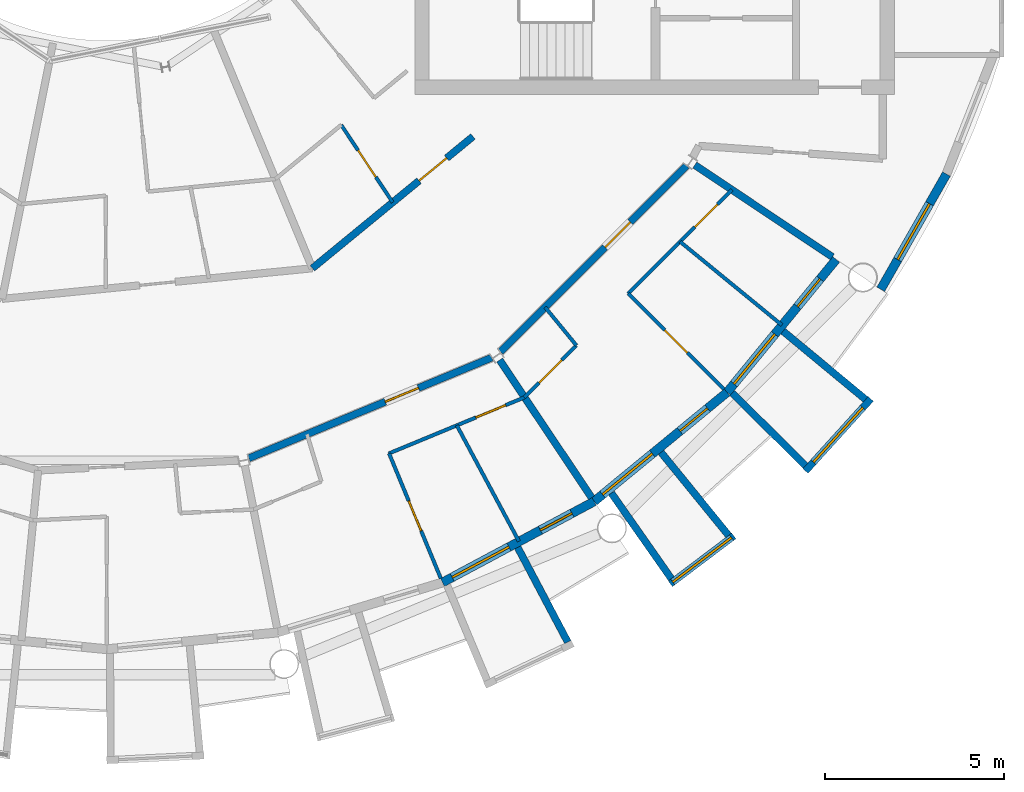
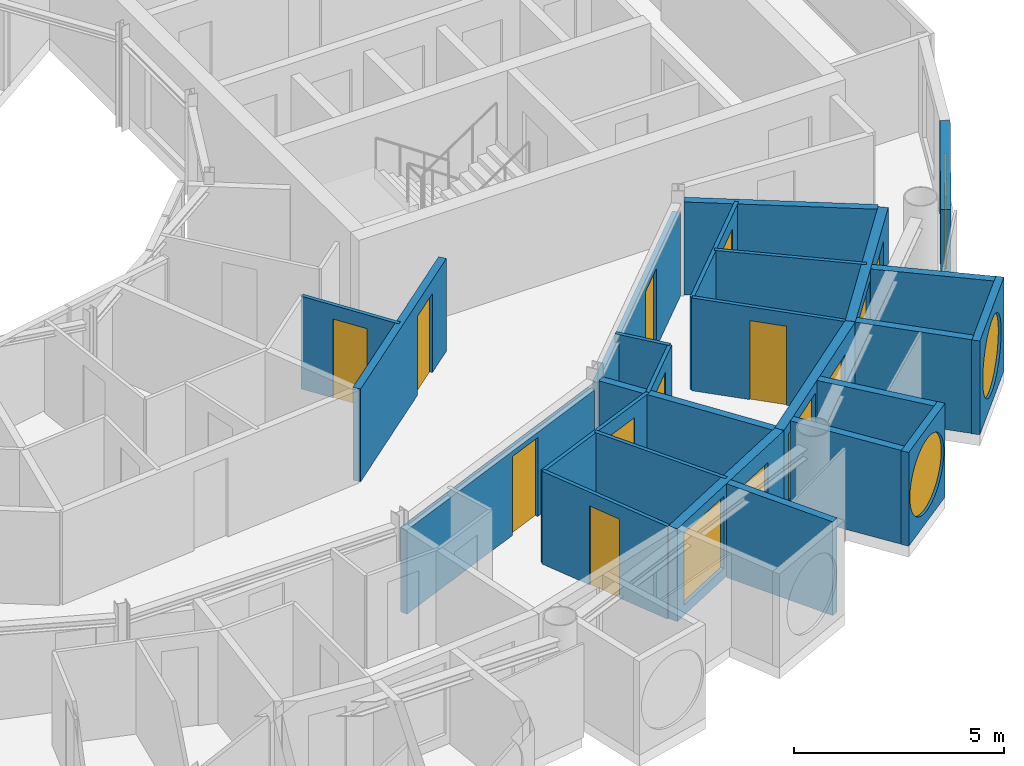
# One storey, part 17 of 27: 25 walls, 12 doors, 6 windows, 18 openings.
"""IFC4 building model written with IfcOpenShell, lengths in metres."""

from ifc_helpers import new_model, si_unit, direction, frame, frame_2d, origin, place, context, subcontext, project, spatial, rectangle, circle, extrude, material, layer, layer_set, type_object, element, fill, save


model = new_model("IFC4")

# Units and contexts
model_context = context("Model", 3, precision=1e-05, world=origin(), true_north=direction((0.0, 1.0)))
body_context = subcontext(model_context, "Body", "Model", "MODEL_VIEW")
ifc_project = project(units=[si_unit("LENGTHUNIT", "METRE"), si_unit("AREAUNIT", "SQUARE_METRE"), si_unit("VOLUMEUNIT", "CUBIC_METRE"), si_unit("PLANEANGLEUNIT", "RADIAN"), si_unit("MASSUNIT", "GRAM", prefix="KILO")], contexts=[model_context])

# Site, building, storey
site_placement = place(None, origin())
site = spatial("IfcSite", under=ifc_project, at=site_placement, CompositionType="ELEMENT")
building_placement = place(site_placement, origin())
building = spatial("IfcBuilding", under=site, at=building_placement, Name="Maasbend Ring Residences", CompositionType="ELEMENT")
storey_placement = place(building_placement, frame((0.0, 0.0, 240.14990234375)))
storey = spatial("IfcBuildingStorey", under=building, at=storey_placement, Name="L69", CompositionType="ELEMENT", Elevation=240.14990234375)

# Wall, opening, door
ifc_material_1 = material(Name="Concrete C30/37", Category="concrete")
ifc_layer_1 = layer(ifc_material_1, 0.199951171875)
ifc_layer_set_1 = layer_set([ifc_layer_1], Name="Concrete C30/37")
wall_type_1 = type_object("IfcWallType", Name="CORRIDOR WALL 200 CONCRETE", PredefinedType="PARTITIONING", material=ifc_layer_set_1)
wall_1_placement = place(storey_placement, frame((3.965087890625, -19.1650390625, 0.0), z_axis=(0.0, 0.0, 1.0), x_axis=(0.923857139404, 0.382737489635, 0.0)))
wall_1 = element("IfcWall", 1, at=wall_1_placement, inside=storey, type_object=wall_type_1, Name="U-L69-w017", PredefinedType="PARTITIONING", context=body_context, shape_type="SweptSolid", body=[
    extrude(rectangle(XDim=7.342041015625, YDim=0.199951171875, at=frame_2d((3.6708984375, 0.0))), origin(), (0.0, 0.0, 1.0), 2.4501953125),
])
opening_1_placement = place(wall_1_placement, frame((4.1259765625, 0.0, 0.0)))
opening_1 = element("IfcOpeningElement", 2, at=opening_1_placement, cuts=wall_1, Name="Opening D-6944", PredefinedType="OPENING", context=body_context, shape_type="SweptSolid", body=[
    extrude(rectangle(XDim=1.0, YDim=2.300048828125, at=frame_2d((0.5, 1.14990234375))), frame((0.0, 0.10986328125, 0.0), z_axis=(0.0, -1.0, 0.0), x_axis=(1.0, 0.0, 0.0)), (0.0, 0.0, 1.0), 0.219970703125),
])
ifc_material_2 = material(Name="Timber, fire-rated, painted", Category="wood")
door_type_1 = type_object("IfcDoorType", Name="FLAT ENTRANCE DOOR 1000 X 2300 FIRE-RATED", OperationType="NOTDEFINED", PredefinedType="DOOR", material=ifc_material_2)
door_1_placement = place(opening_1_placement, origin())
door_1 = element("IfcDoor", 3, at=door_1_placement, inside=storey, type_object=door_type_1, Name="D-6944", OperationType="SINGLE_SWING_RIGHT", OverallHeight=2.300048828125, OverallWidth=1.0, PredefinedType="DOOR", context=body_context, shape_type="SweptSolid", body=[
    extrude(rectangle(XDim=1.0, YDim=2.300048828125, at=frame_2d((0.5, 1.14990234375))), frame((0.0, 0.02490234375, 0.0), z_axis=(0.0, -1.0, 0.0), x_axis=(1.0, 0.0, 0.0)), (0.0, 0.0, 1.0), 0.050048828125),
])
fill(opening_1, door_1)

wall_2_placement = place(storey_placement, frame((10.9970703125, -16.18896484375, 0.0), z_axis=(0.0, 0.0, 1.0), x_axis=(0.707106781187, 0.707106781187, 0.0)))
wall_2 = element("IfcWall", 4, at=wall_2_placement, inside=storey, type_object=wall_type_1, Name="U-L69-w018", PredefinedType="PARTITIONING", context=body_context, shape_type="SweptSolid", body=[
    extrude(rectangle(XDim=7.342529296875, YDim=0.199951171875, at=frame_2d((3.67138671875, 0.0))), origin(), (0.0, 0.0, 1.0), 2.4501953125),
])
opening_2_placement = place(wall_2_placement, frame((4.126953125, 0.0, 0.0)))
opening_2 = element("IfcOpeningElement", 5, at=opening_2_placement, cuts=wall_2, Name="Opening D-6948", PredefinedType="OPENING", context=body_context, shape_type="SweptSolid", body=[
    extrude(rectangle(XDim=1.0, YDim=2.300048828125, at=frame_2d((0.5, 1.14990234375))), frame((0.0, 0.10986328125, 0.0), z_axis=(0.0, -1.0, 0.0), x_axis=(1.0, 0.0, 0.0)), (0.0, 0.0, 1.0), 0.219970703125),
])
door_2_placement = place(opening_2_placement, origin())
door_2 = element("IfcDoor", 6, at=door_2_placement, inside=storey, type_object=door_type_1, Name="D-6948", OperationType="SINGLE_SWING_RIGHT", OverallHeight=2.300048828125, OverallWidth=1.0, PredefinedType="DOOR", context=body_context, shape_type="SweptSolid", body=[
    extrude(rectangle(XDim=1.0, YDim=2.300048828125, at=frame_2d((0.5, 1.14990234375))), frame((0.0, 0.02490234375, 0.0), z_axis=(0.0, -1.0, 0.0), x_axis=(1.0, 0.0, 0.0)), (0.0, 0.0, 1.0), 0.050048828125),
])
fill(opening_2, door_2)

wall_3_placement = place(storey_placement, frame((5.739990234375, -13.85791015625, 0.0), z_axis=(0.0, 0.0, 1.0), x_axis=(0.773071783484, 0.634318545828, 0.0)))
wall_3 = element("IfcWall", 7, at=wall_3_placement, inside=storey, type_object=wall_type_1, Name="U-L69-w021", PredefinedType="PARTITIONING", context=body_context, shape_type="SweptSolid", body=[
    extrude(rectangle(XDim=5.802978515625, YDim=0.199951171875, at=frame_2d((2.9013671875, 0.0))), origin(), (0.0, 0.0, 1.0), 2.7001953125),
])
opening_3_placement = place(wall_3_placement, frame((3.85400390625, 0.0, 0.0)))
opening_3 = element("IfcOpeningElement", 8, at=opening_3_placement, cuts=wall_3, Name="Opening D-6960", PredefinedType="OPENING", context=body_context, shape_type="SweptSolid", body=[
    extrude(rectangle(XDim=1.0, YDim=2.300048828125, at=frame_2d((0.5, 1.14990234375))), frame((0.0, 0.10986328125, 0.0), z_axis=(0.0, -1.0, 0.0), x_axis=(1.0, 0.0, 0.0)), (0.0, 0.0, 1.0), 0.219970703125),
])
door_3_placement = place(opening_3_placement, origin())
door_3 = element("IfcDoor", 9, at=door_3_placement, inside=storey, type_object=door_type_1, Name="D-6960", OperationType="SINGLE_SWING_RIGHT", OverallHeight=2.300048828125, OverallWidth=1.0, PredefinedType="DOOR", context=body_context, shape_type="SweptSolid", body=[
    extrude(rectangle(XDim=1.0, YDim=2.300048828125, at=frame_2d((0.5, 1.14990234375))), frame((0.0, 0.02490234375, 0.0), z_axis=(0.0, -1.0, 0.0), x_axis=(1.0, 0.0, 0.0)), (0.0, 0.0, 1.0), 0.050048828125),
])
fill(opening_3, door_3)

# Wall
ifc_material_3 = material(Name="Pale anodised aluminium panel", Category="aluminium")
ifc_layer_2 = layer(ifc_material_3, 0.199951171875)
ifc_layer_set_2 = layer_set([ifc_layer_2], Name="EW-BOX")
wall_type_2 = type_object("IfcWallType", Name="EW-BOX", PredefinedType="SOLIDWALL", material=ifc_layer_set_2)
wall_4_placement = place(storey_placement, frame((11.47509765625, -21.655029296875, -0.02978515625), z_axis=(0.0, 0.0, 1.0), x_axis=(0.467917715158, -0.883772036128, 0.0)))
element("IfcWall", 10, at=wall_4_placement, inside=storey, type_object=wall_type_2, Name="Box side wall S15 right", PredefinedType="SOLIDWALL", context=body_context, shape_type="SweptSolid", body=[
    extrude(rectangle(XDim=2.99169921875, YDim=0.199951171875, at=frame_2d((1.495849609375, 0.0))), origin(), (0.0, 0.0, 1.0), 2.72998046875),
])

# Wall, opening, window
wall_5_placement = place(storey_placement, frame((15.739990234375, -22.672119140625, -0.02978515625), z_axis=(0.0, 0.0, 1.0), x_axis=(0.797805050803, 0.602915500641, 0.0)))
wall_5 = element("IfcWall", 11, at=wall_5_placement, inside=storey, type_object=wall_type_2, Name="Box front S17", PredefinedType="SOLIDWALL", context=body_context, shape_type="SweptSolid", body=[
    extrude(rectangle(XDim=2.220947265625, YDim=0.199951171875, at=frame_2d((1.1103515625, 0.0))), origin(), (0.0, 0.0, 1.0), 2.72998046875),
])
opening_4_placement = place(wall_5_placement, frame((0.070556640625, 0.0, 0.330078125)))
opening_4 = element("IfcOpeningElement", 12, at=opening_4_placement, cuts=wall_5, Name="Opening W-RD", PredefinedType="OPENING", context=body_context, shape_type="SweptSolid", body=[
    extrude(circle(Radius=1.0400390625, at=frame_2d((1.0400390625, 1.0400390625))), frame((0.0, 0.10986328125, 0.0), z_axis=(0.0, -1.0, 0.0), x_axis=(1.0, 0.0, 0.0)), (0.0, 0.0, 1.0), 0.219970703125),
])
ifc_material_4 = material(Name="Aluminium and clear glass", Category="aluminium")
window_type_1 = type_object("IfcWindowType", Name="W-RD", PartitioningType="SINGLE_PANEL", PredefinedType="WINDOW", material=ifc_material_4)
window_1_placement = place(opening_4_placement, origin())
window_1 = element("IfcWindow", 13, at=window_1_placement, inside=storey, type_object=window_type_1, Name="Round window S17", OverallHeight=2.080078125, OverallWidth=2.080078125, PartitioningType="SINGLE_PANEL", PredefinedType="WINDOW", context=body_context, shape_type="SweptSolid", body=[
    extrude(circle(Radius=1.0400390625, at=frame_2d((1.0400390625, 1.0400390625))), frame((0.0, 0.030029296875, 0.0), z_axis=(0.0, -1.0, 0.0), x_axis=(1.0, 0.0, 0.0)), (0.0, 0.0, 1.0), 0.06005859375),
])
fill(opening_4, window_1)

# Walls
wall_6_placement = place(storey_placement, frame((14.093017578125, -20.137939453125, -0.02978515625), z_axis=(0.0, 0.0, 1.0), x_axis=(0.573596998419, -0.81913764619, 0.0)))
element("IfcWall", 14, at=wall_6_placement, inside=storey, type_object=wall_type_2, Name="Box side wall S17 left", PredefinedType="SOLIDWALL", context=body_context, shape_type="SweptSolid", body=[
    extrude(rectangle(XDim=2.920166015625, YDim=0.199951171875, at=frame_2d((1.4599609375, 0.0))), origin(), (0.0, 0.0, 1.0), 2.72998046875),
])
wall_7_placement = place(storey_placement, frame((15.47900390625, -19.0, -0.02978515625), z_axis=(0.0, 0.0, 1.0), x_axis=(0.631209771017, -0.775612161439, 0.0)))
element("IfcWall", 15, at=wall_7_placement, inside=storey, type_object=wall_type_2, Name="Box side wall S17 right", PredefinedType="SOLIDWALL", context=body_context, shape_type="SweptSolid", body=[
    extrude(rectangle(XDim=2.992431640625, YDim=0.199951171875, at=frame_2d((1.49609375, 0.0))), origin(), (0.0, 0.0, 1.0), 2.72998046875),
])

# Wall, opening, window
wall_8_placement = place(storey_placement, frame((19.512939453125, -19.52001953125, -0.02978515625), z_axis=(0.0, 0.0, 1.0), x_axis=(0.671487056022, 0.741016284298, 0.0)))
wall_8 = element("IfcWall", 16, at=wall_8_placement, inside=storey, type_object=wall_type_2, Name="Box front S19", PredefinedType="SOLIDWALL", context=body_context, shape_type="SweptSolid", body=[
    extrude(rectangle(XDim=2.7177734375, YDim=0.199951171875, at=frame_2d((1.35888671875, 0.0))), origin(), (0.0, 0.0, 1.0), 2.72998046875),
])
opening_5_placement = place(wall_8_placement, frame((0.319091796875, 0.0, 0.330078125)))
opening_5 = element("IfcOpeningElement", 17, at=opening_5_placement, cuts=wall_8, Name="Opening W-RD", PredefinedType="OPENING", context=body_context, shape_type="SweptSolid", body=[
    extrude(circle(Radius=1.0400390625, at=frame_2d((1.0400390625, 1.0400390625))), frame((0.0, 0.10986328125, 0.0), z_axis=(0.0, -1.0, 0.0), x_axis=(1.0, 0.0, 0.0)), (0.0, 0.0, 1.0), 0.219970703125),
])
window_2_placement = place(opening_5_placement, origin())
window_2 = element("IfcWindow", 18, at=window_2_placement, inside=storey, type_object=window_type_1, Name="Round window S19", OverallHeight=2.080078125, OverallWidth=2.080078125, PartitioningType="SINGLE_PANEL", PredefinedType="WINDOW", context=body_context, shape_type="SweptSolid", body=[
    extrude(circle(Radius=1.0400390625, at=frame_2d((1.0400390625, 1.0400390625))), frame((0.0, 0.030029296875, 0.0), z_axis=(0.0, -1.0, 0.0), x_axis=(1.0, 0.0, 0.0)), (0.0, 0.0, 1.0), 0.06005859375),
])
fill(opening_5, window_2)

# Walls
wall_9_placement = place(storey_placement, frame((17.469970703125, -17.343994140625, -0.02978515625), z_axis=(0.0, 0.0, 1.0), x_axis=(0.709896457854, -0.704306055012, 0.0)))
element("IfcWall", 19, at=wall_9_placement, inside=storey, type_object=wall_type_2, Name="Box side wall S19 left", PredefinedType="SOLIDWALL", context=body_context, shape_type="SweptSolid", body=[
    extrude(rectangle(XDim=2.88232421875, YDim=0.199951171875, at=frame_2d((1.441162109375, 0.0))), origin(), (0.0, 0.0, 1.0), 2.72998046875),
])
wall_10_placement = place(storey_placement, frame((18.887939453125, -15.614990234375, -0.02978515625), z_axis=(0.0, 0.0, 1.0), x_axis=(0.770489638069, -0.637452521862, 0.0)))
element("IfcWall", 20, at=wall_10_placement, inside=storey, type_object=wall_type_2, Name="Box side wall S19 right", PredefinedType="SOLIDWALL", context=body_context, shape_type="SweptSolid", body=[
    extrude(rectangle(XDim=2.9931640625, YDim=0.199951171875, at=frame_2d((1.49658203125, 0.0))), origin(), (0.0, 0.0, 1.0), 2.72998046875),
])

# Wall, openings, door, window
ifc_material_5 = material(Name="Aluminium clad insulated panel", Category="aluminium")
ifc_layer_3 = layer(ifc_material_5, 0.25)
ifc_layer_set_3 = layer_set([ifc_layer_3], Name="EW-GL")
wall_type_3 = type_object("IfcWallType", Name="EW-GL", PredefinedType="SOLIDWALL", material=ifc_layer_set_3)
wall_11_placement = place(storey_placement, frame((9.3759765625, -22.635009765625, 0.0), z_axis=(0.0, 0.0, 1.0), x_axis=(0.881903608701, 0.471429766731, 0.0)))
wall_11 = element("IfcWall", 21, at=wall_11_placement, inside=storey, type_object=wall_type_3, Name="External wall S08", PredefinedType="SOLIDWALL", context=body_context, shape_type="SweptSolid", body=[
    extrude(rectangle(XDim=4.80224609375, YDim=0.25, at=frame_2d((2.401123046875, 0.0))), origin(), (0.0, 0.0, 1.0), 2.7001953125),
])
opening_6_placement = place(wall_11_placement, frame((0.3037109375, 0.0, 0.300048828125)))
opening_6 = element("IfcOpeningElement", 22, at=opening_6_placement, cuts=wall_11, Name="Opening W-BX", PredefinedType="OPENING", context=body_context, shape_type="SweptSolid", body=[
    extrude(rectangle(XDim=1.800048828125, YDim=2.10009765625, at=frame_2d((0.89990234375, 1.050048828125))), frame((0.0, 0.135009765625, 0.0), z_axis=(0.0, -1.0, 0.0), x_axis=(1.0, 0.0, 0.0)), (0.0, 0.0, 1.0), 0.27001953125),
])
opening_7_placement = place(wall_11_placement, frame((3.09912109375, 0.0, 0.0)))
opening_7 = element("IfcOpeningElement", 23, at=opening_7_placement, cuts=wall_11, Name="Opening D-LG", PredefinedType="OPENING", context=body_context, shape_type="SweptSolid", body=[
    extrude(rectangle(XDim=1.0, YDim=2.199951171875, at=frame_2d((0.5, 1.10009765625))), frame((0.0, 0.135009765625, 0.0), z_axis=(0.0, -1.0, 0.0), x_axis=(1.0, 0.0, 0.0)), (0.0, 0.0, 1.0), 0.27001953125),
])
ifc_material_6 = material(Name="Aluminium and clear glass", Category="aluminium")
door_type_2 = type_object("IfcDoorType", Name="D-LG", OperationType="SINGLE_SWING_LEFT", PredefinedType="DOOR", material=ifc_material_6)
door_4_placement = place(opening_7_placement, origin())
door_4 = element("IfcDoor", 24, at=door_4_placement, inside=storey, type_object=door_type_2, Name="Loggia door S16", OperationType="SINGLE_SWING_LEFT", OverallHeight=2.199951171875, OverallWidth=1.0, PredefinedType="DOOR", context=body_context, shape_type="SweptSolid", body=[
    extrude(rectangle(XDim=1.0, YDim=2.199951171875, at=frame_2d((0.5, 1.10009765625))), frame((0.0, 0.02490234375, 0.0), z_axis=(0.0, -1.0, 0.0), x_axis=(1.0, 0.0, 0.0)), (0.0, 0.0, 1.0), 0.050048828125),
])
fill(opening_7, door_4)
ifc_material_7 = material(Name="Aluminium and clear glass", Category="aluminium")
window_type_2 = type_object("IfcWindowType", Name="W-BX", PartitioningType="DOUBLE_PANEL_VERTICAL", PredefinedType="WINDOW", material=ifc_material_7)
window_3_placement = place(opening_6_placement, origin())
window_3 = element("IfcWindow", 25, at=window_3_placement, inside=storey, type_object=window_type_2, Name="Window S15 room to box", OverallHeight=2.10009765625, OverallWidth=1.800048828125, PartitioningType="SINGLE_PANEL", PredefinedType="WINDOW", context=body_context, shape_type="SweptSolid", body=[
    extrude(rectangle(XDim=1.800048828125, YDim=2.10009765625, at=frame_2d((0.89990234375, 1.050048828125))), frame((0.0, 0.030029296875, 0.0), z_axis=(0.0, -1.0, 0.0), x_axis=(1.0, 0.0, 0.0)), (0.0, 0.0, 1.0), 0.06005859375),
])
fill(opening_6, window_3)

wall_12_placement = place(storey_placement, frame((13.611083984375, -20.37109375, 0.0), z_axis=(0.0, 0.0, 1.0), x_axis=(0.773007538262, 0.634396836208, 0.0)))
wall_12 = element("IfcWall", 26, at=wall_12_placement, inside=storey, type_object=wall_type_3, Name="External wall S09", PredefinedType="SOLIDWALL", context=body_context, shape_type="SweptSolid", body=[
    extrude(rectangle(XDim=4.80322265625, YDim=0.25, at=frame_2d((2.401611328125, 0.0))), origin(), (0.0, 0.0, 1.0), 2.7001953125),
])
opening_8_placement = place(wall_12_placement, frame((0.3037109375, 0.0, 0.300048828125)))
opening_8 = element("IfcOpeningElement", 27, at=opening_8_placement, cuts=wall_12, Name="Opening W-BX", PredefinedType="OPENING", context=body_context, shape_type="SweptSolid", body=[
    extrude(rectangle(XDim=1.800048828125, YDim=2.10009765625, at=frame_2d((0.89990234375, 1.050048828125))), frame((0.0, 0.135009765625, 0.0), z_axis=(0.0, -1.0, 0.0), x_axis=(1.0, 0.0, 0.0)), (0.0, 0.0, 1.0), 0.27001953125),
])
opening_9_placement = place(wall_12_placement, frame((3.09912109375, 0.0, 0.0)))
opening_9 = element("IfcOpeningElement", 28, at=opening_9_placement, cuts=wall_12, Name="Opening D-LG", PredefinedType="OPENING", context=body_context, shape_type="SweptSolid", body=[
    extrude(rectangle(XDim=1.0, YDim=2.199951171875, at=frame_2d((0.5, 1.10009765625))), frame((0.0, 0.135009765625, 0.0), z_axis=(0.0, -1.0, 0.0), x_axis=(1.0, 0.0, 0.0)), (0.0, 0.0, 1.0), 0.27001953125),
])
door_5_placement = place(opening_9_placement, origin())
door_5 = element("IfcDoor", 29, at=door_5_placement, inside=storey, type_object=door_type_2, Name="Loggia door S18", OperationType="SINGLE_SWING_LEFT", OverallHeight=2.199951171875, OverallWidth=1.0, PredefinedType="DOOR", context=body_context, shape_type="SweptSolid", body=[
    extrude(rectangle(XDim=1.0, YDim=2.199951171875, at=frame_2d((0.5, 1.10009765625))), frame((0.0, 0.02490234375, 0.0), z_axis=(0.0, -1.0, 0.0), x_axis=(1.0, 0.0, 0.0)), (0.0, 0.0, 1.0), 0.050048828125),
])
fill(opening_9, door_5)
window_4_placement = place(opening_8_placement, origin())
window_4 = element("IfcWindow", 30, at=window_4_placement, inside=storey, type_object=window_type_2, Name="Window S17 room to box", OverallHeight=2.10009765625, OverallWidth=1.800048828125, PartitioningType="SINGLE_PANEL", PredefinedType="WINDOW", context=body_context, shape_type="SweptSolid", body=[
    extrude(rectangle(XDim=1.800048828125, YDim=2.10009765625, at=frame_2d((0.89990234375, 1.050048828125))), frame((0.0, 0.030029296875, 0.0), z_axis=(0.0, -1.0, 0.0), x_axis=(1.0, 0.0, 0.0)), (0.0, 0.0, 1.0), 0.06005859375),
])
fill(opening_8, window_4)

wall_13_placement = place(storey_placement, frame((17.323974609375, -17.323974609375, 0.0), z_axis=(0.0, 0.0, 1.0), x_axis=(0.634396836208, 0.773007538262, 0.0)))
wall_13 = element("IfcWall", 31, at=wall_13_placement, inside=storey, type_object=wall_type_3, Name="External wall S10", PredefinedType="SOLIDWALL", context=body_context, shape_type="SweptSolid", body=[
    extrude(rectangle(XDim=4.80322265625, YDim=0.25, at=frame_2d((2.401611328125, 0.0))), origin(), (0.0, 0.0, 1.0), 2.7001953125),
])
opening_10_placement = place(wall_13_placement, frame((0.3037109375, 0.0, 0.300048828125)))
opening_10 = element("IfcOpeningElement", 32, at=opening_10_placement, cuts=wall_13, Name="Opening W-BX", PredefinedType="OPENING", context=body_context, shape_type="SweptSolid", body=[
    extrude(rectangle(XDim=1.800048828125, YDim=2.10009765625, at=frame_2d((0.89990234375, 1.050048828125))), frame((0.0, 0.135009765625, 0.0), z_axis=(0.0, -1.0, 0.0), x_axis=(1.0, 0.0, 0.0)), (0.0, 0.0, 1.0), 0.27001953125),
])
opening_11_placement = place(wall_13_placement, frame((3.09912109375, 0.0, 0.0)))
opening_11 = element("IfcOpeningElement", 33, at=opening_11_placement, cuts=wall_13, Name="Opening D-LG", PredefinedType="OPENING", context=body_context, shape_type="SweptSolid", body=[
    extrude(rectangle(XDim=1.0, YDim=2.199951171875, at=frame_2d((0.5, 1.10009765625))), frame((0.0, 0.135009765625, 0.0), z_axis=(0.0, -1.0, 0.0), x_axis=(1.0, 0.0, 0.0)), (0.0, 0.0, 1.0), 0.27001953125),
])
door_6_placement = place(opening_11_placement, origin())
door_6 = element("IfcDoor", 34, at=door_6_placement, inside=storey, type_object=door_type_2, Name="Loggia door S20", OperationType="SINGLE_SWING_LEFT", OverallHeight=2.199951171875, OverallWidth=1.0, PredefinedType="DOOR", context=body_context, shape_type="SweptSolid", body=[
    extrude(rectangle(XDim=1.0, YDim=2.199951171875, at=frame_2d((0.5, 1.10009765625))), frame((0.0, 0.02490234375, 0.0), z_axis=(0.0, -1.0, 0.0), x_axis=(1.0, 0.0, 0.0)), (0.0, 0.0, 1.0), 0.050048828125),
])
fill(opening_11, door_6)
window_5_placement = place(opening_10_placement, origin())
window_5 = element("IfcWindow", 35, at=window_5_placement, inside=storey, type_object=window_type_2, Name="Window S19 room to box", OverallHeight=2.10009765625, OverallWidth=1.800048828125, PartitioningType="SINGLE_PANEL", PredefinedType="WINDOW", context=body_context, shape_type="SweptSolid", body=[
    extrude(rectangle(XDim=1.800048828125, YDim=2.10009765625, at=frame_2d((0.89990234375, 1.050048828125))), frame((0.0, 0.030029296875, 0.0), z_axis=(0.0, -1.0, 0.0), x_axis=(1.0, 0.0, 0.0)), (0.0, 0.0, 1.0), 0.06005859375),
])
fill(opening_10, window_5)

# Wall, opening, window
ifc_material_8 = material(Name="Aluminium clad insulated panel", Category="aluminium")
ifc_layer_4 = layer(ifc_material_8, 0.25)
ifc_layer_set_4 = layer_set([ifc_layer_4], Name="EW-HORN")
wall_type_4 = type_object("IfcWallType", Name="EW-HORN", PredefinedType="SOLIDWALL", material=ifc_layer_set_4)
wall_14_placement = place(storey_placement, frame((21.617919921875, -14.445068359375, 0.0), z_axis=(0.0, 0.0, 1.0), x_axis=(0.495031435966, 0.868875064325, 0.0)))
wall_14 = element("IfcWall", 36, at=wall_14_placement, inside=storey, type_object=wall_type_4, Name="Horn wall 2.1", PredefinedType="SOLIDWALL", context=body_context, shape_type="SweptSolid", body=[
    extrude(rectangle(XDim=3.704833984375, YDim=0.25, at=frame_2d((1.8525390625, 0.0))), origin(), (0.0, 0.0, 1.0), 2.7001953125),
])
opening_12_placement = place(wall_14_placement, frame((0.952392578125, 0.0, 0.300048828125)))
opening_12 = element("IfcOpeningElement", 37, at=opening_12_placement, cuts=wall_14, Name="Opening W-BX", PredefinedType="OPENING", context=body_context, shape_type="SweptSolid", body=[
    extrude(rectangle(XDim=1.800048828125, YDim=2.10009765625, at=frame_2d((0.89990234375, 1.050048828125))), frame((0.0, 0.135009765625, 0.0), z_axis=(0.0, -1.0, 0.0), x_axis=(1.0, 0.0, 0.0)), (0.0, 0.0, 1.0), 0.27001953125),
])
window_6_placement = place(opening_12_placement, origin())
window_6 = element("IfcWindow", 38, at=window_6_placement, inside=storey, type_object=window_type_2, Name="Horn window 2.1", OverallHeight=2.10009765625, OverallWidth=1.800048828125, PartitioningType="SINGLE_PANEL", PredefinedType="WINDOW", context=body_context, shape_type="SweptSolid", body=[
    extrude(rectangle(XDim=1.800048828125, YDim=2.10009765625, at=frame_2d((0.89990234375, 1.050048828125))), frame((0.0, 0.030029296875, 0.0), z_axis=(0.0, -1.0, 0.0), x_axis=(1.0, 0.0, 0.0)), (0.0, 0.0, 1.0), 0.06005859375),
])
fill(opening_12, window_6)

# Wall, opening, door
ifc_material_9 = material(Name="Gypsum board on steel studs", Category="steel")
ifc_layer_5 = layer(ifc_material_9, 0.10009765625)
ifc_layer_set_5 = layer_set([ifc_layer_5], Name="PARTITION 100 GYPSUM")
wall_type_5 = type_object("IfcWallType", Name="PARTITION 100 GYPSUM", PredefinedType="PARTITIONING", material=ifc_layer_set_5)
wall_15_placement = place(storey_placement, frame((7.8740234375, -19.032958984375, 0.0), z_axis=(0.0, 0.0, 1.0), x_axis=(0.924018283069, 0.382348286976, 0.0)))
wall_15 = element("IfcWall", 39, at=wall_15_placement, inside=storey, type_object=wall_type_5, Name="U-L69-w008", PredefinedType="PARTITIONING", context=body_context, shape_type="SweptSolid", body=[
    extrude(rectangle(XDim=4.1005859375, YDim=0.10009765625, at=frame_2d((2.05029296875, 0.0))), origin(), (0.0, 0.0, 1.0), 2.7001953125),
])
opening_13_placement = place(wall_15_placement, frame((2.632080078125, 0.0, 0.0)))
opening_13 = element("IfcOpeningElement", 40, at=opening_13_placement, cuts=wall_15, Name="Opening D-6947", PredefinedType="OPENING", context=body_context, shape_type="SweptSolid", body=[
    extrude(rectangle(XDim=0.89990234375, YDim=2.300048828125, at=frame_2d((0.449951171875, 1.14990234375))), frame((0.0, 0.06005859375, 0.0), z_axis=(0.0, -1.0, 0.0), x_axis=(1.0, 0.0, 0.0)), (0.0, 0.0, 1.0), 0.1201171875),
])
ifc_material_10 = material(Name="Timber, painted", Category="wood")
door_type_3 = type_object("IfcDoorType", Name="INTERNAL DOOR 900 X 2300", OperationType="NOTDEFINED", PredefinedType="DOOR", material=ifc_material_10)
door_7_placement = place(opening_13_placement, origin())
door_7 = element("IfcDoor", 41, at=door_7_placement, inside=storey, type_object=door_type_3, Name="D-6947", OperationType="SINGLE_SWING_RIGHT", OverallHeight=2.300048828125, OverallWidth=0.89990234375, PredefinedType="DOOR", context=body_context, shape_type="SweptSolid", body=[
    extrude(rectangle(XDim=0.89990234375, YDim=2.300048828125, at=frame_2d((0.449951171875, 1.14990234375))), frame((0.0, 0.02490234375, 0.0), z_axis=(0.0, -1.0, 0.0), x_axis=(1.0, 0.0, 0.0)), (0.0, 0.0, 1.0), 0.050048828125),
])
fill(opening_13, door_7)

wall_16_placement = place(storey_placement, frame((11.662109375, -17.466064453125, 0.0), z_axis=(0.0, 0.0, 1.0), x_axis=(0.707106781187, 0.707106781187, 0.0)))
wall_16 = element("IfcWall", 42, at=wall_16_placement, inside=storey, type_object=wall_type_5, Name="U-L69-w009", PredefinedType="PARTITIONING", context=body_context, shape_type="SweptSolid", body=[
    extrude(rectangle(XDim=2.0478515625, YDim=0.10009765625, at=frame_2d((1.02392578125, 0.0))), origin(), (0.0, 0.0, 1.0), 2.7001953125),
])
opening_14_placement = place(wall_16_placement, frame((0.5810546875, 0.0, 0.0)))
opening_14 = element("IfcOpeningElement", 43, at=opening_14_placement, cuts=wall_16, Name="Opening D-6949", PredefinedType="OPENING", context=body_context, shape_type="SweptSolid", body=[
    extrude(rectangle(XDim=0.89990234375, YDim=2.300048828125, at=frame_2d((0.449951171875, 1.14990234375))), frame((0.0, 0.06005859375, 0.0), z_axis=(0.0, -1.0, 0.0), x_axis=(1.0, 0.0, 0.0)), (0.0, 0.0, 1.0), 0.1201171875),
])
door_8_placement = place(opening_14_placement, origin())
door_8 = element("IfcDoor", 44, at=door_8_placement, inside=storey, type_object=door_type_3, Name="D-6949", OperationType="SINGLE_SWING_RIGHT", OverallHeight=2.300048828125, OverallWidth=0.89990234375, PredefinedType="DOOR", context=body_context, shape_type="SweptSolid", body=[
    extrude(rectangle(XDim=0.89990234375, YDim=2.300048828125, at=frame_2d((0.449951171875, 1.14990234375))), frame((0.0, 0.02490234375, 0.0), z_axis=(0.0, -1.0, 0.0), x_axis=(1.0, 0.0, 0.0)), (0.0, 0.0, 1.0), 0.050048828125),
])
fill(opening_14, door_8)

wall_17_placement = place(storey_placement, frame((14.55908203125, -14.569091796875, 0.0), z_axis=(0.0, 0.0, 1.0), x_axis=(0.707106781187, 0.707106781187, 0.0)))
wall_17 = element("IfcWall", 45, at=wall_17_placement, inside=storey, type_object=wall_type_5, Name="U-L69-w010", PredefinedType="PARTITIONING", context=body_context, shape_type="SweptSolid", body=[
    extrude(rectangle(XDim=4.111083984375, YDim=0.10009765625, at=frame_2d((2.0556640625, 0.0))), origin(), (0.0, 0.0, 1.0), 2.7001953125),
])
opening_15_placement = place(wall_17_placement, frame((2.633056640625, 0.0, 0.0)))
opening_15 = element("IfcOpeningElement", 46, at=opening_15_placement, cuts=wall_17, Name="Opening D-6951", PredefinedType="OPENING", context=body_context, shape_type="SweptSolid", body=[
    extrude(rectangle(XDim=0.89990234375, YDim=2.300048828125, at=frame_2d((0.449951171875, 1.14990234375))), frame((0.0, 0.06005859375, 0.0), z_axis=(0.0, -1.0, 0.0), x_axis=(1.0, 0.0, 0.0)), (0.0, 0.0, 1.0), 0.1201171875),
])
door_9_placement = place(opening_15_placement, origin())
door_9 = element("IfcDoor", 47, at=door_9_placement, inside=storey, type_object=door_type_3, Name="D-6951", OperationType="SINGLE_SWING_RIGHT", OverallHeight=2.300048828125, OverallWidth=0.89990234375, PredefinedType="DOOR", context=body_context, shape_type="SweptSolid", body=[
    extrude(rectangle(XDim=0.89990234375, YDim=2.300048828125, at=frame_2d((0.449951171875, 1.14990234375))), frame((0.0, 0.02490234375, 0.0), z_axis=(0.0, -1.0, 0.0), x_axis=(1.0, 0.0, 0.0)), (0.0, 0.0, 1.0), 0.050048828125),
])
fill(opening_15, door_9)

wall_18_placement = place(storey_placement, frame((6.5458984375, -9.85400390625, 0.0), z_axis=(0.0, 0.0, 1.0), x_axis=(0.553354377247, -0.83294593653, 0.0)))
wall_18 = element("IfcWall", 48, at=wall_18_placement, inside=storey, type_object=wall_type_5, Name="U-L69-w077", PredefinedType="PARTITIONING", context=body_context, shape_type="SweptSolid", body=[
    extrude(rectangle(XDim=2.596923828125, YDim=0.10009765625, at=frame_2d((1.29833984375, 0.0))), origin(), (0.0, 0.0, 1.0), 2.7001953125),
])
opening_16_placement = place(wall_18_placement, frame((0.84912109375, 0.0, 0.0)))
opening_16 = element("IfcOpeningElement", 49, at=opening_16_placement, cuts=wall_18, Name="Opening D-6961", PredefinedType="OPENING", context=body_context, shape_type="SweptSolid", body=[
    extrude(rectangle(XDim=0.89990234375, YDim=2.300048828125, at=frame_2d((0.449951171875, 1.14990234375))), frame((0.0, 0.06005859375, 0.0), z_axis=(0.0, -1.0, 0.0), x_axis=(1.0, 0.0, 0.0)), (0.0, 0.0, 1.0), 0.1201171875),
])
door_10_placement = place(opening_16_placement, origin())
door_10 = element("IfcDoor", 50, at=door_10_placement, inside=storey, type_object=door_type_3, Name="D-6961", OperationType="SINGLE_SWING_RIGHT", OverallHeight=2.300048828125, OverallWidth=0.89990234375, PredefinedType="DOOR", context=body_context, shape_type="SweptSolid", body=[
    extrude(rectangle(XDim=0.89990234375, YDim=2.300048828125, at=frame_2d((0.449951171875, 1.14990234375))), frame((0.0, 0.02490234375, 0.0), z_axis=(0.0, -1.0, 0.0), x_axis=(1.0, 0.0, 0.0)), (0.0, 0.0, 1.0), 0.050048828125),
])
fill(opening_16, door_10)

wall_19_placement = place(storey_placement, frame((7.882080078125, -19.029052734375, 0.0), z_axis=(0.0, 0.0, 1.0), x_axis=(0.382637120452, -0.923898714174, 0.0)))
wall_19 = element("IfcWall", 51, at=wall_19_placement, inside=storey, type_object=wall_type_5, Name="U-L69-w080", PredefinedType="PARTITIONING", context=body_context, shape_type="SweptSolid", body=[
    extrude(rectangle(XDim=3.778564453125, YDim=0.10009765625, at=frame_2d((1.88916015625, 0.0))), origin(), (0.0, 0.0, 1.0), 2.7001953125),
])
opening_17_placement = place(wall_19_placement, frame((1.43896484375, 0.0, 0.0)))
opening_17 = element("IfcOpeningElement", 52, at=opening_17_placement, cuts=wall_19, Name="Opening D-6946", PredefinedType="OPENING", context=body_context, shape_type="SweptSolid", body=[
    extrude(rectangle(XDim=0.89990234375, YDim=2.300048828125, at=frame_2d((0.449951171875, 1.14990234375))), frame((0.0, 0.06005859375, 0.0), z_axis=(0.0, -1.0, 0.0), x_axis=(1.0, 0.0, 0.0)), (0.0, 0.0, 1.0), 0.1201171875),
])
door_11_placement = place(opening_17_placement, origin())
door_11 = element("IfcDoor", 53, at=door_11_placement, inside=storey, type_object=door_type_3, Name="D-6946", OperationType="SINGLE_SWING_RIGHT", OverallHeight=2.300048828125, OverallWidth=0.89990234375, PredefinedType="DOOR", context=body_context, shape_type="SweptSolid", body=[
    extrude(rectangle(XDim=0.89990234375, YDim=2.300048828125, at=frame_2d((0.449951171875, 1.14990234375))), frame((0.0, 0.02490234375, 0.0), z_axis=(0.0, -1.0, 0.0), x_axis=(1.0, 0.0, 0.0)), (0.0, 0.0, 1.0), 0.050048828125),
])
fill(opening_17, door_11)

# Walls
wall_20_placement = place(storey_placement, frame((9.77392578125, -18.2451171875, 0.0), z_axis=(0.0, 0.0, 1.0), x_axis=(0.47239643711, -0.881386184488, 0.0)))
element("IfcWall", 54, at=wall_20_placement, inside=storey, type_object=wall_type_5, Name="U-L69-w082", PredefinedType="PARTITIONING", context=body_context, shape_type="SweptSolid", body=[
    extrude(rectangle(XDim=3.67724609375, YDim=0.10009765625, at=frame_2d((1.838623046875, 0.0))), origin(), (0.0, 0.0, 1.0), 2.7001953125),
])
wall_21_placement = place(storey_placement, frame((12.240966796875, -14.945068359375, 0.0), z_axis=(0.0, 0.0, 1.0), x_axis=(0.633719643525, -0.773562805085, 0.0)))
element("IfcWall", 55, at=wall_21_placement, inside=storey, type_object=wall_type_5, Name="U-L69-w085", PredefinedType="PARTITIONING", context=body_context, shape_type="SweptSolid", body=[
    extrude(rectangle(XDim=1.379150390625, YDim=0.10009765625, at=frame_2d((0.689453125, 0.0))), origin(), (0.0, 0.0, 1.0), 2.7001953125),
])

# Wall, opening, door
wall_22_placement = place(storey_placement, frame((14.56396484375, -14.56396484375, 0.0), z_axis=(0.0, 0.0, 1.0), x_axis=(0.707106781187, -0.707106781187, 0.0)))
wall_22 = element("IfcWall", 56, at=wall_22_placement, inside=storey, type_object=wall_type_5, Name="U-L69-w087", PredefinedType="PARTITIONING", context=body_context, shape_type="SweptSolid", body=[
    extrude(rectangle(XDim=3.779052734375, YDim=0.10009765625, at=frame_2d((1.8896484375, 0.0))), origin(), (0.0, 0.0, 1.0), 2.7001953125),
])
opening_18_placement = place(wall_22_placement, frame((1.43896484375, 0.0, 0.0)))
opening_18 = element("IfcOpeningElement", 57, at=opening_18_placement, cuts=wall_22, Name="Opening D-6950", PredefinedType="OPENING", context=body_context, shape_type="SweptSolid", body=[
    extrude(rectangle(XDim=0.89990234375, YDim=2.300048828125, at=frame_2d((0.449951171875, 1.14990234375))), frame((0.0, 0.06005859375, 0.0), z_axis=(0.0, -1.0, 0.0), x_axis=(1.0, 0.0, 0.0)), (0.0, 0.0, 1.0), 0.1201171875),
])
door_12_placement = place(opening_18_placement, origin())
door_12 = element("IfcDoor", 58, at=door_12_placement, inside=storey, type_object=door_type_3, Name="D-6950", OperationType="SINGLE_SWING_LEFT", OverallHeight=2.300048828125, OverallWidth=0.89990234375, PredefinedType="DOOR", context=body_context, shape_type="SweptSolid", body=[
    extrude(rectangle(XDim=0.89990234375, YDim=2.300048828125, at=frame_2d((0.449951171875, 1.14990234375))), frame((0.0, 0.02490234375, 0.0), z_axis=(0.0, -1.0, 0.0), x_axis=(1.0, 0.0, 0.0)), (0.0, 0.0, 1.0), 0.050048828125),
])
fill(opening_18, door_12)

# Walls
wall_23_placement = place(storey_placement, frame((16.011962890625, -13.114990234375, 0.0), z_axis=(0.0, 0.0, 1.0), x_axis=(0.773640700514, -0.633624546958, 0.0)))
element("IfcWall", 59, at=wall_23_placement, inside=storey, type_object=wall_type_5, Name="U-L69-w090", PredefinedType="PARTITIONING", context=body_context, shape_type="SweptSolid", body=[
    extrude(rectangle(XDim=3.677490234375, YDim=0.10009765625, at=frame_2d((1.8388671875, 0.0))), origin(), (0.0, 0.0, 1.0), 2.7001953125),
])
ifc_material_11 = material(Name="Concrete C30/37", Category="concrete")
ifc_layer_6 = layer(ifc_material_11, 0.199951171875)
ifc_layer_set_6 = layer_set([ifc_layer_6], Name="Concrete C30/37")
wall_type_6 = type_object("IfcWallType", Name="PARTY WALL 200 CONCRETE", PredefinedType="PARTITIONING", material=ifc_layer_set_6)
for number, where, z_axis, x_axis, name in (
    (60, (10.971923828125, -16.422119140625, 0.0), (0.0, 0.0, 1.0), (0.555710901036, -0.831375603725, 0.0), "U-L69-w083"),
    (61, (16.422119140625, -10.971923828125, 0.0), (0.0, 0.0, 1.0), (0.831375603725, -0.555710901036, 0.0), "U-L69-w091"),
):
    element("IfcWall", number, at=place(storey_placement, frame(where, z_axis=z_axis, x_axis=x_axis)), inside=storey, type_object=wall_type_6, Name=name, PredefinedType="PARTITIONING", context=body_context, shape_type="SweptSolid", body=[
        extrude(rectangle(XDim=4.624755859375, YDim=0.199951171875, at=frame_2d((2.3125, 0.0))), origin(), (0.0, 0.0, 1.0), 2.7001953125),
    ])

save(model, "model.ifc")
